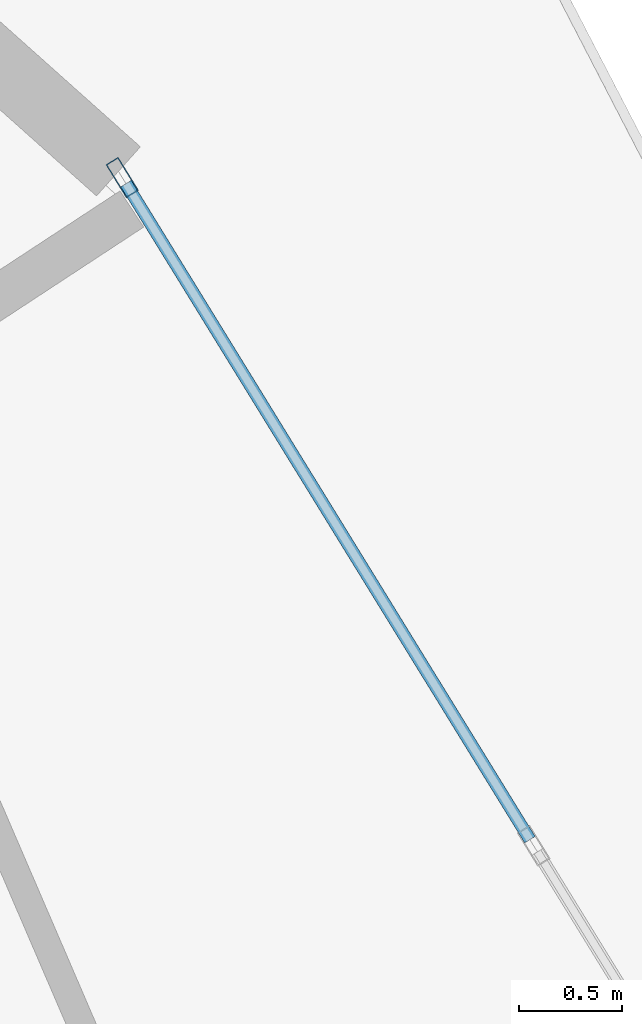
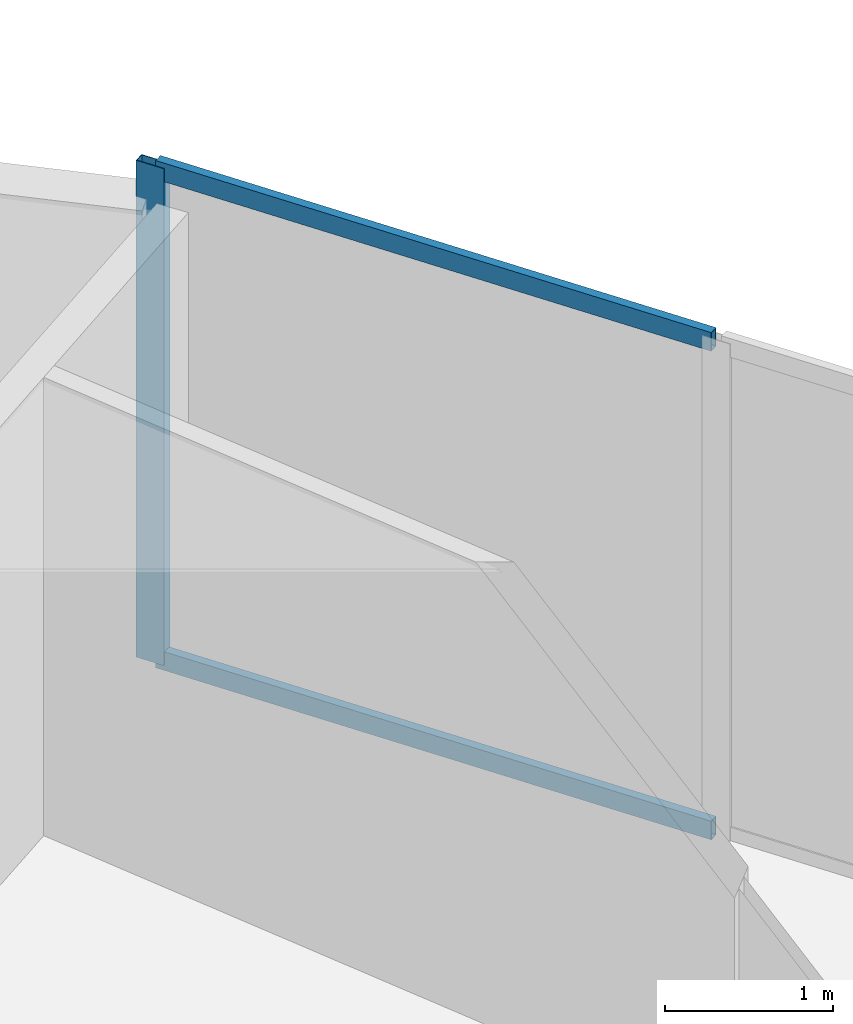
# One storey, part 19 of 26: 3 members, 1 element without a shape of its own.
"""IFC4 building model written with IfcOpenShell, lengths in metres."""

import ifcopenshell
import ifcopenshell.guid

model = None  # the IFC model being written
_history = None  # IfcOwnerHistory: only IFC2X3 demands one
_inside = {}  # id of a spatial element -> (the spatial element, [elements in it])
_under = {}  # id of a project, library or spatial element -> (it, [spatial elements below it])
_declared = {}  # id of a project -> (the project, [libraries it declares])
_typed = {}  # id of a type object -> (the type object, [elements of that type])
_made_of = {}  # id of a material, layer set ... -> (it, [elements and type objects made of it])


def new_model(schema):
    """Start an empty IFC model of exactly this schema.

    Asked for "IFC4X3", IfcOpenShell would pick the latest addendum, in which some entities
    have other attributes; the version numbers below select the first issue.
    IFC2X3 requires an IfcOwnerHistory on every rooted entity: one is made here for all.
    """
    global model, _history
    if schema == "IFC4X3":
        model = ifcopenshell.file(schema_version=(4, 3, 0, 0))
    else:
        model = ifcopenshell.file(schema=schema)
    _inside.clear()
    _under.clear()
    _declared.clear()
    _typed.clear()
    _made_of.clear()
    _history = None
    if model.schema == "IFC2X3":
        org = make("IfcOrganization", Name="unknown")
        user = make(
            "IfcPersonAndOrganization",
            ThePerson=make("IfcPerson", FamilyName="unknown"),
            TheOrganization=org,
        )
        app = make(
            "IfcApplication",
            ApplicationDeveloper=org,
            Version="unknown",
            ApplicationFullName="unknown",
            ApplicationIdentifier="unknown",
        )
        _history = make(
            "IfcOwnerHistory",
            OwningUser=user,
            OwningApplication=app,
            ChangeAction="ADDED",
            CreationDate=0,
        )
    return model


def make(cls, **values):
    """One entity of the class cls with the attributes given. An attribute that is None is left unset."""
    return model.create_entity(
        cls, **{name: value for name, value in values.items() if value is not None}
    )


def rooted(cls, **values):
    """An entity with a GlobalId (a new one), such as an element, a storey or a relation."""
    return make(cls, GlobalId=ifcopenshell.guid.new(), OwnerHistory=_history, **values)


def si_unit(unit_type, name, prefix=None):
    """IfcSIUnit, for example si_unit("LENGTHUNIT", "METRE", prefix="MILLI")."""
    return make("IfcSIUnit", UnitType=unit_type, Prefix=prefix, Name=name)


def assignment(units):
    """IfcUnitAssignment: the units of a project."""
    return None if units is None else make("IfcUnitAssignment", Units=units)


def point(xyz):
    """IfcCartesianPoint."""
    return None if xyz is None else make("IfcCartesianPoint", Coordinates=xyz)


def direction(xyz):
    """IfcDirection."""
    return None if xyz is None else make("IfcDirection", DirectionRatios=xyz)


def frame(location, z_axis=None, x_axis=None):
    """IfcAxis2Placement3D, a coordinate frame: its origin and axes. An axis left out is left unset."""
    return make(
        "IfcAxis2Placement3D",
        Location=point(location),
        Axis=direction(z_axis),
        RefDirection=direction(x_axis),
    )


def frame_2d(location, x_axis=None):
    """IfcAxis2Placement2D, a coordinate frame in the plane: its origin and x axis."""
    return make(
        "IfcAxis2Placement2D", Location=point(location), RefDirection=direction(x_axis)
    )


def origin():
    """The frame at (0, 0, 0) with its axes left unset."""
    return frame((0.0, 0.0, 0.0))


def origin_2d():
    """The frame at (0, 0) in the plane with its x axis left unset."""
    return frame_2d((0.0, 0.0))


def place(relative_to, where):
    """IfcLocalPlacement: puts the frame where relative to a parent placement (None: the world)."""
    return make(
        "IfcLocalPlacement", PlacementRelTo=relative_to, RelativePlacement=where
    )


def context(
    kind, dimensions, precision=None, world=None, true_north=None, identifier=None
):
    """IfcGeometricRepresentationContext, for example the 3D "Model" context."""
    return make(
        "IfcGeometricRepresentationContext",
        ContextIdentifier=identifier,
        ContextType=kind,
        CoordinateSpaceDimension=dimensions,
        Precision=precision,
        WorldCoordinateSystem=world,
        TrueNorth=true_north,
    )


def subcontext(parent, identifier, kind, view, scale=None):
    """IfcGeometricRepresentationSubContext, for example "Body" below "Model"."""
    return make(
        "IfcGeometricRepresentationSubContext",
        ContextIdentifier=identifier,
        ContextType=kind,
        ParentContext=parent,
        TargetScale=scale,
        TargetView=view,
    )


def project(units=None, contexts=None):
    """IfcProject with its units and contexts."""
    return rooted(
        "IfcProject",
        Name="project",
        RepresentationContexts=contexts,
        UnitsInContext=assignment(units),
    )


def spatial(cls, under=None, at=None, **own):
    """A site, building, storey or space (cls), placed at a placement, below another one or the project."""
    s = rooted(cls, ObjectPlacement=at, **own)
    if under is not None:
        _under.setdefault(under.id(), (under, []))[1].append(s)
    return s


def profile(cls, at=None, kind="AREA", **sizes):
    """A parametric profile (cls). Its sizes go by their IFC names, for example OverallWidth=200.0."""
    return make(cls, ProfileType=kind, Position=at, **sizes)


def hollow_rectangle(**sizes):
    """IfcRectangleHollowProfileDef."""
    return profile("IfcRectangleHollowProfileDef", **sizes)


def extrude(swept, where, along, depth):
    """IfcExtrudedAreaSolid: the profile swept, set in the frame where, extruded along a direction by depth."""
    return make(
        "IfcExtrudedAreaSolid",
        SweptArea=swept,
        Position=where,
        ExtrudedDirection=direction(along),
        Depth=depth,
    )


def shape(context_of_items, identifier, shape_type, items):
    """IfcShapeRepresentation: the items that make up one representation, for example the "Body"."""
    return make(
        "IfcShapeRepresentation",
        ContextOfItems=context_of_items,
        RepresentationIdentifier=identifier,
        RepresentationType=shape_type,
        Items=items,
    )


def source(mapping_origin, context_of_items, identifier, shape_type, items):
    """IfcRepresentationMap: a shape defined once, which mapped items show again and again."""
    return make(
        "IfcRepresentationMap",
        MappingOrigin=mapping_origin,
        MappedRepresentation=shape(context_of_items, identifier, shape_type, items),
    )


def transform(
    local_origin,
    x_axis=None,
    y_axis=None,
    z_axis=None,
    scale=None,
    scale2=None,
    scale3=None,
    uniform=True,
):
    """IfcCartesianTransformationOperator3D, or its non-uniform kind. x_axis, y_axis, z_axis: its Axis1, 2, 3."""
    if uniform:
        return make(
            "IfcCartesianTransformationOperator3D",
            Axis1=direction(x_axis),
            Axis2=direction(y_axis),
            LocalOrigin=point(local_origin),
            Scale=scale,
            Axis3=direction(z_axis),
        )
    return make(
        "IfcCartesianTransformationOperator3DnonUniform",
        Axis1=direction(x_axis),
        Axis2=direction(y_axis),
        LocalOrigin=point(local_origin),
        Scale=scale,
        Axis3=direction(z_axis),
        Scale2=scale2,
        Scale3=scale3,
    )


def mapped(mapping_source, mapping_target):
    """IfcMappedItem: shows the shape of a source again, moved by a transform."""
    return make(
        "IfcMappedItem", MappingSource=mapping_source, MappingTarget=mapping_target
    )


def material(Name=None, Category=None):
    """IfcMaterial."""
    return make("IfcMaterial", Name=Name, Category=Category)


def layer(
    of_material, thickness, ventilated=None, Name=None, Category=None, Priority=None
):
    """IfcMaterialLayer: one layer of a wall or slab, of a material (None: an air gap)."""
    return make(
        "IfcMaterialLayer",
        Material=of_material,
        LayerThickness=thickness,
        IsVentilated=ventilated,
        Name=Name,
        Category=Category,
        Priority=Priority,
    )


def layer_set(layers, Name=None):
    """IfcMaterialLayerSet."""
    return make("IfcMaterialLayerSet", MaterialLayers=layers, LayerSetName=Name)


def material_profile(
    of_material, cross_section, Name=None, Category=None, Priority=None
):
    """IfcMaterialProfile: a cross section and its material."""
    return make(
        "IfcMaterialProfile",
        Name=Name,
        Material=of_material,
        Profile=cross_section,
        Priority=Priority,
        Category=Category,
    )


def profile_set(profiles, Name=None, composite=None):
    """IfcMaterialProfileSet."""
    return make(
        "IfcMaterialProfileSet",
        Name=Name,
        MaterialProfiles=profiles,
        CompositeProfile=composite,
    )


def made_of(thing, what):
    """Note that an element or type object is made of a material, layer set ...; save() writes the relation."""
    if what is not None:
        _made_of.setdefault(what.id(), (what, []))[1].append(thing)
    return thing


def type_object(cls, material=None, **own):
    """A type object (cls), such as IfcWallType, which elements share."""
    return made_of(rooted(cls, **own), material)


def element(
    cls,
    number,
    at=None,
    inside=None,
    cuts=None,
    type_object=None,
    material=None,
    context=None,
    identifier="Body",
    shape_type=None,
    held_by="IfcProductDefinitionShape",
    body=None,
    shapes=None,
    **own,
):
    """One element of the class cls, such as IfcWall. Its Tag is "e" and its number.

    at: its placement. inside: the storey or other place that contains it. cuts: it is an
    opening in that element (IfcRelVoidsElement). A single representation is given by context,
    identifier, shape_type and body (its items); several are given by shapes. held_by: the class
    of the entity that holds the representations. save() writes the other relations.
    """
    e = rooted(cls, Tag="e%d" % number, ObjectPlacement=at, **own)
    if body is not None:
        shapes = [shape(context, identifier, shape_type, body)]
    if shapes is not None:
        e.Representation = make(held_by, Representations=shapes)
    if inside is not None:
        _inside.setdefault(inside.id(), (inside, []))[1].append(e)
    if cuts is not None:
        rooted(
            "IfcRelVoidsElement", RelatingBuildingElement=cuts, RelatedOpeningElement=e
        )
    if type_object is not None:
        _typed.setdefault(type_object.id(), (type_object, []))[1].append(e)
    return made_of(e, material)


def aggregate(whole, parts):
    """IfcRelAggregates: a whole, such as a stair, and the parts it consists of."""
    return rooted("IfcRelAggregates", RelatingObject=whole, RelatedObjects=parts)


def save(model, path):
    """Write the relations noted so far, then the file.

    IfcRelAggregates (storeys below a building ...), IfcRelContainedInSpatialStructure (elements
    in a storey), IfcRelDefinesByType, IfcRelAssociatesMaterial and IfcRelDeclares: one each for
    every whole, place, type object, material and project.
    """
    for whole, parts in _under.values():
        aggregate(whole, parts)
    for where, things in _inside.values():
        rooted(
            "IfcRelContainedInSpatialStructure",
            RelatedElements=things,
            RelatingStructure=where,
        )
    for kind, things in _typed.values():
        rooted("IfcRelDefinesByType", RelatedObjects=things, RelatingType=kind)
    for what, things in _made_of.values():
        rooted("IfcRelAssociatesMaterial", RelatedObjects=things, RelatingMaterial=what)
    for by, libraries in _declared.values():
        rooted("IfcRelDeclares", RelatingContext=by, RelatedDefinitions=libraries)
    model.write(path)


model = new_model("IFC4")

# Units and contexts
model_context = context("Model", 3, precision=1e-05, world=origin(), true_north=direction((0.0, 1.0)))
body_context = subcontext(model_context, "Body", "Model", "MODEL_VIEW")
ifc_project = project(units=[si_unit("LENGTHUNIT", "METRE"), si_unit("AREAUNIT", "SQUARE_METRE"), si_unit("VOLUMEUNIT", "CUBIC_METRE"), si_unit("PLANEANGLEUNIT", "RADIAN"), si_unit("MASSUNIT", "GRAM", prefix="KILO")], contexts=[model_context])

# Site, building, storey
site_placement = place(None, origin())
site = spatial("IfcSite", under=ifc_project, at=site_placement, CompositionType="ELEMENT")
building_placement = place(site_placement, origin())
building = spatial("IfcBuilding", under=site, at=building_placement, Name="Solvirekh Grand Hotel", CompositionType="ELEMENT")
storey_placement = place(building_placement, frame((0.0, 0.0, 71.60009765625)))
storey = spatial("IfcBuildingStorey", under=building, at=storey_placement, Name="L17", CompositionType="ELEMENT", Elevation=71.60009765625)

# Curtain wall, members
ifc_material = material(Name="Anodized Bronze Aluminium 6063-T6", Category="aluminium")
ifc_layer = layer(ifc_material, 0.18994140625)
ifc_layer_set = layer_set([ifc_layer], Name="Anodized Bronze Aluminium 6063-T6")
curtain_wall_type = type_object("IfcCurtainWallType", Name="CW_Sys2_LowZoneFlushBronzeCW", PredefinedType="NOTDEFINED", material=ifc_layer_set)
curtain_wall_placement = place(storey_placement, origin())
curtain_wall = element("IfcCurtainWall", 1, at=curtain_wall_placement, inside=storey, type_object=curtain_wall_type, Name="L17 unitised bronze-glass curtain wall CW-L17-C03", PredefinedType="NOTDEFINED")
ifc_material_profile_1 = material_profile(ifc_material, hollow_rectangle(XDim=0.06005859375, YDim=0.135009765625, WallThickness=0.00390625, at=origin_2d()), Name="ALU RHS 135X60X4")
ifc_profile_set_1 = profile_set([ifc_material_profile_1], Name="Anodized Bronze Aluminium 6063-T6")
member_type_1 = type_object("IfcMemberType", Name="CWTransom_Sys2", PredefinedType="USERDEFINED", material=ifc_profile_set_1)
shared_shape_1 = source(origin(), body_context, "Body", "SweptSolid", [
    extrude(hollow_rectangle(XDim=0.06005859375, YDim=0.135009765625, WallThickness=0.00390625, at=origin_2d()), origin(), (0.0, 0.0, 1.0), 3.747314453125),
])
member_1_placement = place(storey_placement, frame((21.692626953125, 8.33837890625, 0.02978515625), z_axis=(-0.524330046, 0.851515121922, 0.0), x_axis=(-0.851515121922, -0.524330046, 0.0)))
member_1 = element("IfcMember", 2, at=member_1_placement, type_object=member_type_1, Name="U02 transom 2.1", ObjectType="TRANSOM", PredefinedType="USERDEFINED", context=body_context, shape_type="MappedRepresentation", body=[
    mapped(shared_shape_1, transform((0.0, 0.0, 0.0), x_axis=(1.0, 0.0, 0.0), y_axis=(0.0, 1.0, 0.0), z_axis=(0.0, 0.0, 1.0), scale=1.0)),
])
member_2_placement = place(storey_placement, frame((21.692626953125, 8.33837890625, 3.56982421875), z_axis=(-0.524330046, 0.851515121922, 0.0), x_axis=(-0.851515121922, -0.524330046, 0.0)))
member_2 = element("IfcMember", 3, at=member_2_placement, type_object=member_type_1, Name="U02 transom 2.2", ObjectType="TRANSOM", PredefinedType="USERDEFINED", context=body_context, shape_type="MappedRepresentation", body=[
    mapped(shared_shape_1, transform((0.0, 0.0, 0.0), x_axis=(1.0, 0.0, 0.0), y_axis=(0.0, 1.0, 0.0), z_axis=(0.0, 0.0, 1.0), scale=1.0)),
])
ifc_material_profile_2 = material_profile(ifc_material, hollow_rectangle(XDim=0.070068359375, YDim=0.18994140625, WallThickness=0.0048828125, at=origin_2d()), Name="ALU RHS 190X70X5")
ifc_profile_set_2 = profile_set([ifc_material_profile_2], Name="Anodized Bronze Aluminium 6063-T6")
member_type_2 = type_object("IfcMemberType", Name="CWMullion_Sys2", PredefinedType="MULLION", material=ifc_profile_set_2)
shared_shape_2 = source(origin(), body_context, "Body", "SweptSolid", [
    extrude(hollow_rectangle(XDim=0.070068359375, YDim=0.18994140625, WallThickness=0.0048828125, at=origin_2d()), origin(), (0.0, 0.0, 1.0), 3.599853515625),
])
member_3_placement = place(storey_placement, frame((19.70947265625, 11.55908203125, 0.0), z_axis=(0.0, 0.0, 1.0), x_axis=(-0.851515689405, -0.524329124403, 0.0)))
member_3 = element("IfcMember", 4, at=member_3_placement, type_object=member_type_2, Name="U02 mullion 3", PredefinedType="MULLION", context=body_context, shape_type="MappedRepresentation", body=[
    mapped(shared_shape_2, transform((0.0, 0.0, 0.0), x_axis=(1.0, 0.0, 0.0), y_axis=(0.0, 1.0, 0.0), z_axis=(0.0, 0.0, 1.0), scale=1.0)),
])
aggregate(curtain_wall, [member_3, member_1, member_2])

save(model, "model.ifc")
